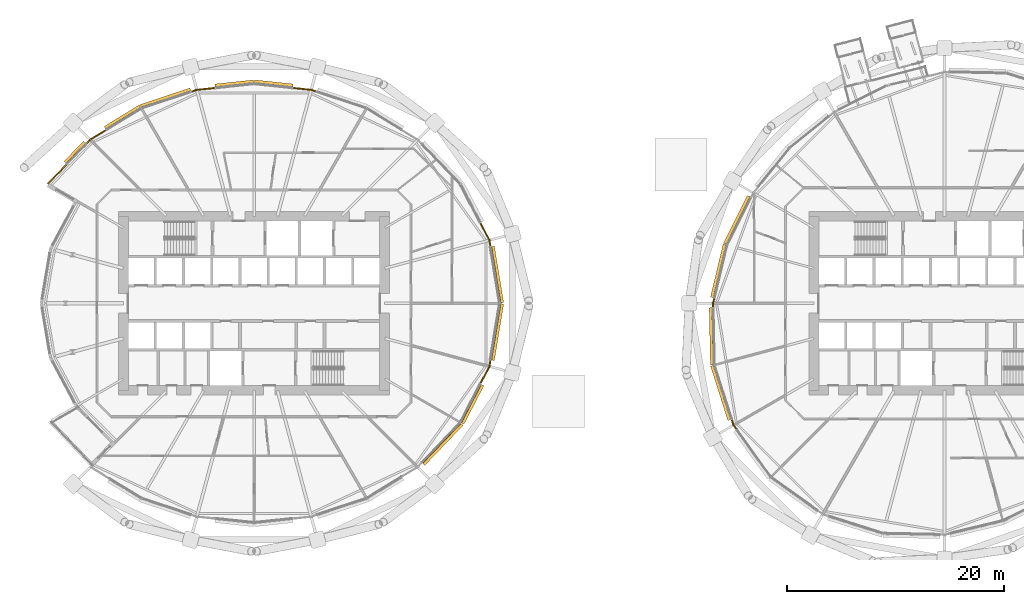
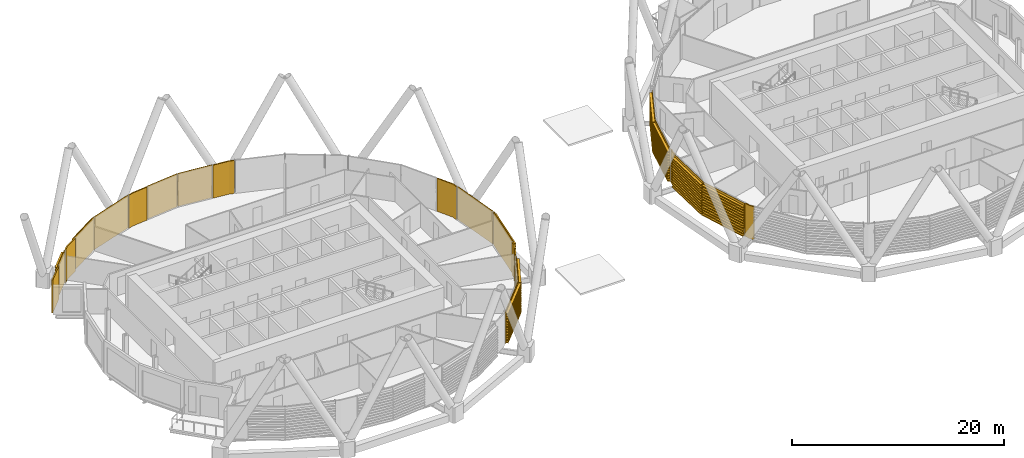
# One storey, part 31 of 34: 21 coverings.
"""IFC4 building model written with IfcOpenShell, lengths in metres."""

from ifc_helpers import new_model, si_unit, direction, frame, origin, place, context, subcontext, project, spatial, polyline, outline, extrude, material, layer, layer_set, material_profile, profile_set, type_object, element, save


model = new_model("IFC4")

# Units and contexts
model_context = context("Model", 3, precision=1e-05, world=origin(), true_north=direction((0.0, 1.0)))
body_context = subcontext(model_context, "Body", "Model", "MODEL_VIEW")
ifc_project = project(units=[si_unit("LENGTHUNIT", "METRE"), si_unit("AREAUNIT", "SQUARE_METRE"), si_unit("VOLUMEUNIT", "CUBIC_METRE"), si_unit("PLANEANGLEUNIT", "RADIAN"), si_unit("MASSUNIT", "GRAM", prefix="KILO")], contexts=[model_context])

# Site, building, storey
site_placement = place(None, origin())
site = spatial("IfcSite", under=ifc_project, at=site_placement, CompositionType="ELEMENT")
building_placement = place(site_placement, origin())
building = spatial("IfcBuilding", under=site, at=building_placement, Name="Rimbun Link Towers", CompositionType="ELEMENT")
storey_placement = place(building_placement, frame((0.0, 0.0, 41.39990234375)))
storey = spatial("IfcBuildingStorey", under=building, at=storey_placement, Name="L09", CompositionType="ELEMENT", Elevation=41.39990234375)

# Coverings
ifc_material_1 = material(Name="Terracotta", Category="masonry")
ifc_layer = layer(ifc_material_1, 0.1201171875)
ifc_layer_set = layer_set([ifc_layer], Name="LINK PIER terracotta cladding 120")
covering_type_1 = type_object("IfcCoveringType", Name="LINK PIER terracotta cladding 120", PredefinedType="CLADDING", material=ifc_layer_set)
covering_1_placement = place(storey_placement, origin())
element("IfcCovering", 1, at=covering_1_placement, inside=storey, type_object=covering_type_1, Name="LINK PIER cladding", PredefinedType="CLADDING", context=body_context, shape_type="SweptSolid", body=[
    extrude(outline(polyline([(-10.972900390625, 7.357177734375), (-10.159423828125, 5.78515625), (-10.06689453125, 5.22265625), (-9.948486328125, 5.2421875), (-10.044189453125, 5.823486328125), (-10.866455078125, 7.412353515625), (-10.972900390625, 7.357177734375)])), origin(), (0.0, 0.0, 1.0), 3.800048828125),
])
covering_2_placement = place(storey_placement, origin())
element("IfcCovering", 2, at=covering_2_placement, inside=storey, type_object=covering_type_1, Name="LINK PIER cladding", PredefinedType="CLADDING", context=body_context, shape_type="SweptSolid", body=[
    extrude(outline(polyline([(-28.166015625, 19.7490234375), (-26.505126953125, 19.57421875), (-26.011474609375, 19.41064453125), (-25.9736328125, 19.524658203125), (-26.479736328125, 19.692138671875), (-28.1533203125, 19.868408203125), (-28.166015625, 19.7490234375)])), origin(), (0.0, 0.0, 1.0), 3.800048828125),
])
covering_3_placement = place(storey_placement, origin())
element("IfcCovering", 3, at=covering_3_placement, inside=storey, type_object=covering_type_1, Name="LINK PIER cladding", PredefinedType="CLADDING", context=body_context, shape_type="SweptSolid", body=[
    extrude(outline(polyline([(-37.488525390625, 19.41064453125), (-36.994873046875, 19.57421875), (-35.333984375, 19.7490234375), (-35.3466796875, 19.868408203125), (-37.020263671875, 19.692138671875), (-37.5263671875, 19.524658203125), (-37.488525390625, 19.41064453125)])), origin(), (0.0, 0.0, 1.0), 3.800048828125),
])
covering_4_placement = place(storey_placement, origin())
element("IfcCovering", 4, at=covering_4_placement, inside=storey, type_object=covering_type_1, Name="LINK PIER cladding", PredefinedType="CLADDING", context=body_context, shape_type="SweptSolid", body=[
    extrude(outline(polyline([(-50.658447265625, 10.950439453125), (-48.93505859375, 12.747802734375), (-49.021728515625, 12.830810546875), (-50.744873046875, 11.033447265625), (-50.658447265625, 10.950439453125)])), origin(), (0.0, 0.0, 1.0), 3.800048828125),
])
covering_5_placement = place(storey_placement, origin())
element("IfcCovering", 5, at=covering_5_placement, inside=storey, type_object=covering_type_1, Name="LINK PIER cladding", PredefinedType="CLADDING", context=body_context, shape_type="SweptSolid", body=[
    extrude(outline(polyline([(-47.123046875, 14.637939453125), (-46.76318359375, 15.01318359375), (-45.340087890625, 15.886962890625), (-45.40283203125, 15.9892578125), (-46.839111328125, 15.107421875), (-47.209716796875, 14.720947265625), (-47.123046875, 14.637939453125)])), origin(), (0.0, 0.0, 1.0), 3.800048828125),
])
covering_6_placement = place(storey_placement, origin())
element("IfcCovering", 6, at=covering_6_placement, inside=storey, type_object=covering_type_1, Name="LINK PIER cladding", PredefinedType="CLADDING", context=body_context, shape_type="SweptSolid", body=[
    extrude(outline(polyline([(-10.06689453125, -5.22265625), (-10.159423828125, -5.78515625), (-10.972900390625, -7.357177734375), (-10.866455078125, -7.412353515625), (-10.044189453125, -5.823486328125), (-9.948486328125, -5.2421875), (-10.06689453125, -5.22265625)])), origin(), (0.0, 0.0, 1.0), 3.800048828125),
])
covering_7_placement = place(storey_placement, origin())
element("IfcCovering", 7, at=covering_7_placement, inside=storey, type_object=covering_type_1, Name="LINK PIER cladding", PredefinedType="CLADDING", context=body_context, shape_type="SweptSolid", body=[
    extrude(outline(polyline([(10.52587890625, -0.369873046875), (10.51806640625, 0.0), (10.62744140625, 0.45703125), (10.5107421875, 0.485107421875), (10.397705078125, 0.012939453125), (10.406005859375, -0.37255859375), (10.52587890625, -0.369873046875)])), origin(), (0.0, 0.0, 1.0), 3.800048828125),
])
covering_8_placement = place(storey_placement, origin())
element("IfcCovering", 8, at=covering_8_placement, inside=storey, type_object=covering_type_1, Name="LINK PIER cladding", PredefinedType="CLADDING", context=body_context, shape_type="SweptSolid", body=[
    extrude(outline(polyline([(12.66650390625, -11.557861328125), (12.392578125, -11.176025390625), (12.23486328125, -10.6806640625), (12.12060546875, -10.717041015625), (12.283935546875, -11.230712890625), (12.569091796875, -11.6279296875), (12.66650390625, -11.557861328125)])), origin(), (0.0, 0.0, 1.0), 3.800048828125),
])
ifc_material_2 = material(Name="Terracotta", Category="masonry")
ifc_material_profile = material_profile(ifc_material_2, outline(polyline([(0.123046875, 0.0), (0.1630859375, 0.0), (0.1630859375, 0.10009765625), (0.423095703125, 0.10009765625), (0.423095703125, 0.219970703125), (0.1630859375, 0.219970703125), (0.1630859375, 0.39990234375), (0.423095703125, 0.39990234375), (0.423095703125, 0.52001953125), (0.1630859375, 0.52001953125), (0.1630859375, 0.699951171875), (0.423095703125, 0.699951171875), (0.423095703125, 0.820068359375), (0.1630859375, 0.820068359375), (0.1630859375, 1.0), (0.423095703125, 1.0), (0.423095703125, 1.1201171875), (0.1630859375, 1.1201171875), (0.1630859375, 1.300048828125), (0.423095703125, 1.300048828125), (0.423095703125, 1.419921875), (0.1630859375, 1.419921875), (0.1630859375, 1.60009765625), (0.423095703125, 1.60009765625), (0.423095703125, 1.719970703125), (0.1630859375, 1.719970703125), (0.1630859375, 1.89990234375), (0.423095703125, 1.89990234375), (0.423095703125, 2.02001953125), (0.1630859375, 2.02001953125), (0.1630859375, 2.199951171875), (0.423095703125, 2.199951171875), (0.423095703125, 2.320068359375), (0.1630859375, 2.320068359375), (0.1630859375, 2.5), (0.423095703125, 2.5), (0.423095703125, 2.6201171875), (0.1630859375, 2.6201171875), (0.1630859375, 2.800048828125), (0.423095703125, 2.800048828125), (0.423095703125, 2.919921875), (0.1630859375, 2.919921875), (0.1630859375, 3.10009765625), (0.423095703125, 3.10009765625), (0.423095703125, 3.219970703125), (0.1630859375, 3.219970703125), (0.1630859375, 3.39990234375), (0.423095703125, 3.39990234375), (0.423095703125, 3.52001953125), (0.1630859375, 3.52001953125), (0.1630859375, 3.800048828125), (0.123046875, 3.800048828125), (0.123046875, 0.0)])), Name="BAGUETTE 120X300")
ifc_profile_set = profile_set([ifc_material_profile], Name="Terracotta")
covering_type_2 = type_object("IfcCoveringType", Name="TERRACOTTA BAGUETTE 120X300 H3800", PredefinedType="CLADDING", material=ifc_profile_set)
covering_9_placement = place(storey_placement, frame((-10.062255859375, 5.193115234375, 0.0), z_axis=(0.162269712446, -0.986746441809, 0.0), x_axis=(0.986746441809, 0.162269712446, 0.0)))
element("IfcCovering", 9, at=covering_9_placement, inside=storey, type_object=covering_type_2, Name="TERRACOTTA BAGUETTE", PredefinedType="CLADDING", context=body_context, shape_type="SweptSolid", body=[
    extrude(outline(polyline([(0.123046875, 0.0), (0.1630859375, 0.0), (0.1630859375, 0.10009765625), (0.423095703125, 0.10009765625), (0.423095703125, 0.219970703125), (0.1630859375, 0.219970703125), (0.1630859375, 0.39990234375), (0.423095703125, 0.39990234375), (0.423095703125, 0.52001953125), (0.1630859375, 0.52001953125), (0.1630859375, 0.699951171875), (0.423095703125, 0.699951171875), (0.423095703125, 0.820068359375), (0.1630859375, 0.820068359375), (0.1630859375, 1.0), (0.423095703125, 1.0), (0.423095703125, 1.1201171875), (0.1630859375, 1.1201171875), (0.1630859375, 1.300048828125), (0.423095703125, 1.300048828125), (0.423095703125, 1.419921875), (0.1630859375, 1.419921875), (0.1630859375, 1.60009765625), (0.423095703125, 1.60009765625), (0.423095703125, 1.719970703125), (0.1630859375, 1.719970703125), (0.1630859375, 1.89990234375), (0.423095703125, 1.89990234375), (0.423095703125, 2.02001953125), (0.1630859375, 2.02001953125), (0.1630859375, 2.199951171875), (0.423095703125, 2.199951171875), (0.423095703125, 2.320068359375), (0.1630859375, 2.320068359375), (0.1630859375, 2.5), (0.423095703125, 2.5), (0.423095703125, 2.6201171875), (0.1630859375, 2.6201171875), (0.1630859375, 2.800048828125), (0.423095703125, 2.800048828125), (0.423095703125, 2.919921875), (0.1630859375, 2.919921875), (0.1630859375, 3.10009765625), (0.423095703125, 3.10009765625), (0.423095703125, 3.219970703125), (0.1630859375, 3.219970703125), (0.1630859375, 3.39990234375), (0.423095703125, 3.39990234375), (0.423095703125, 3.52001953125), (0.1630859375, 3.52001953125), (0.1630859375, 3.800048828125), (0.123046875, 3.800048828125), (0.123046875, 0.0)])), origin(), (0.0, 0.0, 1.0), 5.262939453125),
])
for number, where, z_axis, x_axis, name in (
    (10, (-31.75, 20.126708984375, 0.0), (0.994494217738, -0.104791463801, 0.0), (0.104791463801, 0.994494217738, 0.0), "TERRACOTTA BAGUETTE"),
    (11, (-35.30419921875, 19.752197265625, 0.0), (0.994494217738, 0.104791463801, 0.0), (-0.104791463801, 0.994494217738, 0.0), "TERRACOTTA BAGUETTE"),
):
    element("IfcCovering", number, at=place(storey_placement, frame(where, z_axis=z_axis, x_axis=x_axis)), inside=storey, type_object=covering_type_2, Name=name, PredefinedType="CLADDING", context=body_context, shape_type="SweptSolid", body=[
        extrude(outline(polyline([(0.123046875, 0.0), (0.1630859375, 0.0), (0.1630859375, 0.10009765625), (0.423095703125, 0.10009765625), (0.423095703125, 0.219970703125), (0.1630859375, 0.219970703125), (0.1630859375, 0.39990234375), (0.423095703125, 0.39990234375), (0.423095703125, 0.52001953125), (0.1630859375, 0.52001953125), (0.1630859375, 0.699951171875), (0.423095703125, 0.699951171875), (0.423095703125, 0.820068359375), (0.1630859375, 0.820068359375), (0.1630859375, 1.0), (0.423095703125, 1.0), (0.423095703125, 1.1201171875), (0.1630859375, 1.1201171875), (0.1630859375, 1.300048828125), (0.423095703125, 1.300048828125), (0.423095703125, 1.419921875), (0.1630859375, 1.419921875), (0.1630859375, 1.60009765625), (0.423095703125, 1.60009765625), (0.423095703125, 1.719970703125), (0.1630859375, 1.719970703125), (0.1630859375, 1.89990234375), (0.423095703125, 1.89990234375), (0.423095703125, 2.02001953125), (0.1630859375, 2.02001953125), (0.1630859375, 2.199951171875), (0.423095703125, 2.199951171875), (0.423095703125, 2.320068359375), (0.1630859375, 2.320068359375), (0.1630859375, 2.5), (0.423095703125, 2.5), (0.423095703125, 2.6201171875), (0.1630859375, 2.6201171875), (0.1630859375, 2.800048828125), (0.423095703125, 2.800048828125), (0.423095703125, 2.919921875), (0.1630859375, 2.919921875), (0.1630859375, 3.10009765625), (0.423095703125, 3.10009765625), (0.423095703125, 3.219970703125), (0.1630859375, 3.219970703125), (0.1630859375, 3.39990234375), (0.423095703125, 3.39990234375), (0.423095703125, 3.52001953125), (0.1630859375, 3.52001953125), (0.1630859375, 3.800048828125), (0.123046875, 3.800048828125), (0.123046875, 0.0)])), origin(), (0.0, 0.0, 1.0), 3.573974609375),
    ])
covering_10_placement = place(storey_placement, frame((-42.07861328125, 17.8896484375, 0.0), z_axis=(0.949245728051, 0.314535447568, 0.0), x_axis=(-0.314535447568, 0.949245728051, 0.0)))
element("IfcCovering", 12, at=covering_10_placement, inside=storey, type_object=covering_type_2, Name="TERRACOTTA BAGUETTE", PredefinedType="CLADDING", context=body_context, shape_type="SweptSolid", body=[
    extrude(outline(polyline([(0.123046875, 0.0), (0.1630859375, 0.0), (0.1630859375, 0.10009765625), (0.423095703125, 0.10009765625), (0.423095703125, 0.219970703125), (0.1630859375, 0.219970703125), (0.1630859375, 0.39990234375), (0.423095703125, 0.39990234375), (0.423095703125, 0.52001953125), (0.1630859375, 0.52001953125), (0.1630859375, 0.699951171875), (0.423095703125, 0.699951171875), (0.423095703125, 0.820068359375), (0.1630859375, 0.820068359375), (0.1630859375, 1.0), (0.423095703125, 1.0), (0.423095703125, 1.1201171875), (0.1630859375, 1.1201171875), (0.1630859375, 1.300048828125), (0.423095703125, 1.300048828125), (0.423095703125, 1.419921875), (0.1630859375, 1.419921875), (0.1630859375, 1.60009765625), (0.423095703125, 1.60009765625), (0.423095703125, 1.719970703125), (0.1630859375, 1.719970703125), (0.1630859375, 1.89990234375), (0.423095703125, 1.89990234375), (0.423095703125, 2.02001953125), (0.1630859375, 2.02001953125), (0.1630859375, 2.199951171875), (0.423095703125, 2.199951171875), (0.423095703125, 2.320068359375), (0.1630859375, 2.320068359375), (0.1630859375, 2.5), (0.423095703125, 2.5), (0.423095703125, 2.6201171875), (0.1630859375, 2.6201171875), (0.1630859375, 2.800048828125), (0.423095703125, 2.800048828125), (0.423095703125, 2.919921875), (0.1630859375, 2.919921875), (0.1630859375, 3.10009765625), (0.423095703125, 3.10009765625), (0.423095703125, 3.219970703125), (0.1630859375, 3.219970703125), (0.1630859375, 3.39990234375), (0.423095703125, 3.39990234375), (0.423095703125, 3.52001953125), (0.1630859375, 3.52001953125), (0.1630859375, 3.800048828125), (0.123046875, 3.800048828125), (0.123046875, 0.0)])), origin(), (0.0, 0.0, 1.0), 4.805419921875),
])
covering_11_placement = place(storey_placement, frame((-45.314453125, 15.902587890625, 0.0), z_axis=(0.852154627226, 0.523290064206, 0.0), x_axis=(-0.523290064206, 0.852154627226, 0.0)))
element("IfcCovering", 13, at=covering_11_placement, inside=storey, type_object=covering_type_2, Name="TERRACOTTA BAGUETTE", PredefinedType="CLADDING", context=body_context, shape_type="SweptSolid", body=[
    extrude(outline(polyline([(0.123046875, 0.0), (0.1630859375, 0.0), (0.1630859375, 0.10009765625), (0.423095703125, 0.10009765625), (0.423095703125, 0.219970703125), (0.1630859375, 0.219970703125), (0.1630859375, 0.39990234375), (0.423095703125, 0.39990234375), (0.423095703125, 0.52001953125), (0.1630859375, 0.52001953125), (0.1630859375, 0.699951171875), (0.423095703125, 0.699951171875), (0.423095703125, 0.820068359375), (0.1630859375, 0.820068359375), (0.1630859375, 1.0), (0.423095703125, 1.0), (0.423095703125, 1.1201171875), (0.1630859375, 1.1201171875), (0.1630859375, 1.300048828125), (0.423095703125, 1.300048828125), (0.423095703125, 1.419921875), (0.1630859375, 1.419921875), (0.1630859375, 1.60009765625), (0.423095703125, 1.60009765625), (0.423095703125, 1.719970703125), (0.1630859375, 1.719970703125), (0.1630859375, 1.89990234375), (0.423095703125, 1.89990234375), (0.423095703125, 2.02001953125), (0.1630859375, 2.02001953125), (0.1630859375, 2.199951171875), (0.423095703125, 2.199951171875), (0.423095703125, 2.320068359375), (0.1630859375, 2.320068359375), (0.1630859375, 2.5), (0.423095703125, 2.5), (0.423095703125, 2.6201171875), (0.1630859375, 2.6201171875), (0.1630859375, 2.800048828125), (0.423095703125, 2.800048828125), (0.423095703125, 2.919921875), (0.1630859375, 2.919921875), (0.1630859375, 3.10009765625), (0.423095703125, 3.10009765625), (0.423095703125, 3.219970703125), (0.1630859375, 3.219970703125), (0.1630859375, 3.39990234375), (0.423095703125, 3.39990234375), (0.423095703125, 3.52001953125), (0.1630859375, 3.52001953125), (0.1630859375, 3.800048828125), (0.123046875, 3.800048828125), (0.123046875, 0.0)])), origin(), (0.0, 0.0, 1.0), 3.79736328125),
])
covering_12_placement = place(storey_placement, frame((-48.914306640625, 12.76953125, 0.0), z_axis=(0.692062872066, 0.721837226186, 0.0), x_axis=(-0.721837226186, 0.692062872066, 0.0)))
element("IfcCovering", 14, at=covering_12_placement, inside=storey, type_object=covering_type_2, Name="TERRACOTTA BAGUETTE", PredefinedType="CLADDING", context=body_context, shape_type="SweptSolid", body=[
    extrude(outline(polyline([(0.123046875, 0.0), (0.1630859375, 0.0), (0.1630859375, 0.10009765625), (0.423095703125, 0.10009765625), (0.423095703125, 0.219970703125), (0.1630859375, 0.219970703125), (0.1630859375, 0.39990234375), (0.423095703125, 0.39990234375), (0.423095703125, 0.52001953125), (0.1630859375, 0.52001953125), (0.1630859375, 0.699951171875), (0.423095703125, 0.699951171875), (0.423095703125, 0.820068359375), (0.1630859375, 0.820068359375), (0.1630859375, 1.0), (0.423095703125, 1.0), (0.423095703125, 1.1201171875), (0.1630859375, 1.1201171875), (0.1630859375, 1.300048828125), (0.423095703125, 1.300048828125), (0.423095703125, 1.419921875), (0.1630859375, 1.419921875), (0.1630859375, 1.60009765625), (0.423095703125, 1.60009765625), (0.423095703125, 1.719970703125), (0.1630859375, 1.719970703125), (0.1630859375, 1.89990234375), (0.423095703125, 1.89990234375), (0.423095703125, 2.02001953125), (0.1630859375, 2.02001953125), (0.1630859375, 2.199951171875), (0.423095703125, 2.199951171875), (0.423095703125, 2.320068359375), (0.1630859375, 2.320068359375), (0.1630859375, 2.5), (0.423095703125, 2.5), (0.423095703125, 2.6201171875), (0.1630859375, 2.6201171875), (0.1630859375, 2.800048828125), (0.423095703125, 2.800048828125), (0.423095703125, 2.919921875), (0.1630859375, 2.919921875), (0.1630859375, 3.10009765625), (0.423095703125, 3.10009765625), (0.423095703125, 3.219970703125), (0.1630859375, 3.219970703125), (0.1630859375, 3.39990234375), (0.423095703125, 3.39990234375), (0.423095703125, 3.52001953125), (0.1630859375, 3.52001953125), (0.1630859375, 3.800048828125), (0.123046875, 3.800048828125), (0.123046875, 0.0)])), origin(), (0.0, 0.0, 1.0), 2.558349609375),
])
covering_13_placement = place(storey_placement, frame((-12.82080078125, -10.9287109375, 0.0), z_axis=(-0.692063122266, -0.721836986306, 0.0), x_axis=(0.721836986306, -0.692063122266, 0.0)))
element("IfcCovering", 15, at=covering_13_placement, inside=storey, type_object=covering_type_2, Name="TERRACOTTA BAGUETTE", PredefinedType="CLADDING", context=body_context, shape_type="SweptSolid", body=[
    extrude(outline(polyline([(0.123046875, 0.0), (0.1630859375, 0.0), (0.1630859375, 0.10009765625), (0.423095703125, 0.10009765625), (0.423095703125, 0.219970703125), (0.1630859375, 0.219970703125), (0.1630859375, 0.39990234375), (0.423095703125, 0.39990234375), (0.423095703125, 0.52001953125), (0.1630859375, 0.52001953125), (0.1630859375, 0.699951171875), (0.423095703125, 0.699951171875), (0.423095703125, 0.820068359375), (0.1630859375, 0.820068359375), (0.1630859375, 1.0), (0.423095703125, 1.0), (0.423095703125, 1.1201171875), (0.1630859375, 1.1201171875), (0.1630859375, 1.300048828125), (0.423095703125, 1.300048828125), (0.423095703125, 1.419921875), (0.1630859375, 1.419921875), (0.1630859375, 1.60009765625), (0.423095703125, 1.60009765625), (0.423095703125, 1.719970703125), (0.1630859375, 1.719970703125), (0.1630859375, 1.89990234375), (0.423095703125, 1.89990234375), (0.423095703125, 2.02001953125), (0.1630859375, 2.02001953125), (0.1630859375, 2.199951171875), (0.423095703125, 2.199951171875), (0.423095703125, 2.320068359375), (0.1630859375, 2.320068359375), (0.1630859375, 2.5), (0.423095703125, 2.5), (0.423095703125, 2.6201171875), (0.1630859375, 2.6201171875), (0.1630859375, 2.800048828125), (0.423095703125, 2.800048828125), (0.423095703125, 2.919921875), (0.1630859375, 2.919921875), (0.1630859375, 3.10009765625), (0.423095703125, 3.10009765625), (0.423095703125, 3.219970703125), (0.1630859375, 3.219970703125), (0.1630859375, 3.39990234375), (0.423095703125, 3.39990234375), (0.423095703125, 3.52001953125), (0.1630859375, 3.52001953125), (0.1630859375, 3.800048828125), (0.123046875, 3.800048828125), (0.123046875, 0.0)])), origin(), (0.0, 0.0, 1.0), 5.1083984375),
])
covering_14_placement = place(storey_placement, frame((-10.98681640625, -7.3837890625, 0.0), z_axis=(-0.459502792703, -0.888176324554, 0.0), x_axis=(0.888176324554, -0.459502792703, 0.0)))
element("IfcCovering", 16, at=covering_14_placement, inside=storey, type_object=covering_type_2, Name="TERRACOTTA BAGUETTE", PredefinedType="CLADDING", context=body_context, shape_type="SweptSolid", body=[
    extrude(outline(polyline([(0.123046875, 0.0), (0.1630859375, 0.0), (0.1630859375, 0.10009765625), (0.423095703125, 0.10009765625), (0.423095703125, 0.219970703125), (0.1630859375, 0.219970703125), (0.1630859375, 0.39990234375), (0.423095703125, 0.39990234375), (0.423095703125, 0.52001953125), (0.1630859375, 0.52001953125), (0.1630859375, 0.699951171875), (0.423095703125, 0.699951171875), (0.423095703125, 0.820068359375), (0.1630859375, 0.820068359375), (0.1630859375, 1.0), (0.423095703125, 1.0), (0.423095703125, 1.1201171875), (0.1630859375, 1.1201171875), (0.1630859375, 1.300048828125), (0.423095703125, 1.300048828125), (0.423095703125, 1.419921875), (0.1630859375, 1.419921875), (0.1630859375, 1.60009765625), (0.423095703125, 1.60009765625), (0.423095703125, 1.719970703125), (0.1630859375, 1.719970703125), (0.1630859375, 1.89990234375), (0.423095703125, 1.89990234375), (0.423095703125, 2.02001953125), (0.1630859375, 2.02001953125), (0.1630859375, 2.199951171875), (0.423095703125, 2.199951171875), (0.423095703125, 2.320068359375), (0.1630859375, 2.320068359375), (0.1630859375, 2.5), (0.423095703125, 2.5), (0.423095703125, 2.6201171875), (0.1630859375, 2.6201171875), (0.1630859375, 2.800048828125), (0.423095703125, 2.800048828125), (0.423095703125, 2.919921875), (0.1630859375, 2.919921875), (0.1630859375, 3.10009765625), (0.423095703125, 3.10009765625), (0.423095703125, 3.219970703125), (0.1630859375, 3.219970703125), (0.1630859375, 3.39990234375), (0.423095703125, 3.39990234375), (0.423095703125, 3.52001953125), (0.1630859375, 3.52001953125), (0.1630859375, 3.800048828125), (0.123046875, 3.800048828125), (0.123046875, 0.0)])), origin(), (0.0, 0.0, 1.0), 3.9912109375),
])
covering_15_placement = place(storey_placement, frame((-9.208251953125, 0.0, 0.0), z_axis=(-0.162269712446, -0.986746441809, 0.0), x_axis=(0.986746441809, -0.162269712446, 0.0)))
element("IfcCovering", 17, at=covering_15_placement, inside=storey, type_object=covering_type_2, Name="TERRACOTTA BAGUETTE", PredefinedType="CLADDING", context=body_context, shape_type="SweptSolid", body=[
    extrude(outline(polyline([(0.123046875, 0.0), (0.1630859375, 0.0), (0.1630859375, 0.10009765625), (0.423095703125, 0.10009765625), (0.423095703125, 0.219970703125), (0.1630859375, 0.219970703125), (0.1630859375, 0.39990234375), (0.423095703125, 0.39990234375), (0.423095703125, 0.52001953125), (0.1630859375, 0.52001953125), (0.1630859375, 0.699951171875), (0.423095703125, 0.699951171875), (0.423095703125, 0.820068359375), (0.1630859375, 0.820068359375), (0.1630859375, 1.0), (0.423095703125, 1.0), (0.423095703125, 1.1201171875), (0.1630859375, 1.1201171875), (0.1630859375, 1.300048828125), (0.423095703125, 1.300048828125), (0.423095703125, 1.419921875), (0.1630859375, 1.419921875), (0.1630859375, 1.60009765625), (0.423095703125, 1.60009765625), (0.423095703125, 1.719970703125), (0.1630859375, 1.719970703125), (0.1630859375, 1.89990234375), (0.423095703125, 1.89990234375), (0.423095703125, 2.02001953125), (0.1630859375, 2.02001953125), (0.1630859375, 2.199951171875), (0.423095703125, 2.199951171875), (0.423095703125, 2.320068359375), (0.1630859375, 2.320068359375), (0.1630859375, 2.5), (0.423095703125, 2.5), (0.423095703125, 2.6201171875), (0.1630859375, 2.6201171875), (0.1630859375, 2.800048828125), (0.423095703125, 2.800048828125), (0.423095703125, 2.919921875), (0.1630859375, 2.919921875), (0.1630859375, 3.10009765625), (0.423095703125, 3.10009765625), (0.423095703125, 3.219970703125), (0.1630859375, 3.219970703125), (0.1630859375, 3.39990234375), (0.423095703125, 3.39990234375), (0.423095703125, 3.52001953125), (0.1630859375, 3.52001953125), (0.1630859375, 3.800048828125), (0.123046875, 3.800048828125), (0.123046875, 0.0)])), origin(), (0.0, 0.0, 1.0), 5.262939453125),
])
covering_16_placement = place(storey_placement, frame((11.796875, 5.346435546875, 0.0), z_axis=(0.448765709645, 0.893649449083, 0.0), x_axis=(-0.893649449083, 0.448765709645, 0.0)))
element("IfcCovering", 18, at=covering_16_placement, inside=storey, type_object=covering_type_2, Name="TERRACOTTA BAGUETTE", PredefinedType="CLADDING", context=body_context, shape_type="SweptSolid", body=[
    extrude(outline(polyline([(0.123046875, 0.0), (0.1630859375, 0.0), (0.1630859375, 0.10009765625), (0.423095703125, 0.10009765625), (0.423095703125, 0.219970703125), (0.1630859375, 0.219970703125), (0.1630859375, 0.39990234375), (0.423095703125, 0.39990234375), (0.423095703125, 0.52001953125), (0.1630859375, 0.52001953125), (0.1630859375, 0.699951171875), (0.423095703125, 0.699951171875), (0.423095703125, 0.820068359375), (0.1630859375, 0.820068359375), (0.1630859375, 1.0), (0.423095703125, 1.0), (0.423095703125, 1.1201171875), (0.1630859375, 1.1201171875), (0.1630859375, 1.300048828125), (0.423095703125, 1.300048828125), (0.423095703125, 1.419921875), (0.1630859375, 1.419921875), (0.1630859375, 1.60009765625), (0.423095703125, 1.60009765625), (0.423095703125, 1.719970703125), (0.1630859375, 1.719970703125), (0.1630859375, 1.89990234375), (0.423095703125, 1.89990234375), (0.423095703125, 2.02001953125), (0.1630859375, 2.02001953125), (0.1630859375, 2.199951171875), (0.423095703125, 2.199951171875), (0.423095703125, 2.320068359375), (0.1630859375, 2.320068359375), (0.1630859375, 2.5), (0.423095703125, 2.5), (0.423095703125, 2.6201171875), (0.1630859375, 2.6201171875), (0.1630859375, 2.800048828125), (0.423095703125, 2.800048828125), (0.423095703125, 2.919921875), (0.1630859375, 2.919921875), (0.1630859375, 3.10009765625), (0.423095703125, 3.10009765625), (0.423095703125, 3.219970703125), (0.1630859375, 3.219970703125), (0.1630859375, 3.39990234375), (0.423095703125, 3.39990234375), (0.423095703125, 3.52001953125), (0.1630859375, 3.52001953125), (0.1630859375, 3.800048828125), (0.123046875, 3.800048828125), (0.123046875, 0.0)])), origin(), (0.0, 0.0, 1.0), 4.905517578125),
])
covering_17_placement = place(storey_placement, frame((10.634521484375, 0.486328125, 0.0), z_axis=(0.232602347496, 0.972571924301, 0.0), x_axis=(-0.972571924301, 0.232602347496, 0.0)))
element("IfcCovering", 19, at=covering_17_placement, inside=storey, type_object=covering_type_2, Name="TERRACOTTA BAGUETTE", PredefinedType="CLADDING", context=body_context, shape_type="SweptSolid", body=[
    extrude(outline(polyline([(0.123046875, 0.0), (0.1630859375, 0.0), (0.1630859375, 0.10009765625), (0.423095703125, 0.10009765625), (0.423095703125, 0.219970703125), (0.1630859375, 0.219970703125), (0.1630859375, 0.39990234375), (0.423095703125, 0.39990234375), (0.423095703125, 0.52001953125), (0.1630859375, 0.52001953125), (0.1630859375, 0.699951171875), (0.423095703125, 0.699951171875), (0.423095703125, 0.820068359375), (0.1630859375, 0.820068359375), (0.1630859375, 1.0), (0.423095703125, 1.0), (0.423095703125, 1.1201171875), (0.1630859375, 1.1201171875), (0.1630859375, 1.300048828125), (0.423095703125, 1.300048828125), (0.423095703125, 1.419921875), (0.1630859375, 1.419921875), (0.1630859375, 1.60009765625), (0.423095703125, 1.60009765625), (0.423095703125, 1.719970703125), (0.1630859375, 1.719970703125), (0.1630859375, 1.89990234375), (0.423095703125, 1.89990234375), (0.423095703125, 2.02001953125), (0.1630859375, 2.02001953125), (0.1630859375, 2.199951171875), (0.423095703125, 2.199951171875), (0.423095703125, 2.320068359375), (0.1630859375, 2.320068359375), (0.1630859375, 2.5), (0.423095703125, 2.5), (0.423095703125, 2.6201171875), (0.1630859375, 2.6201171875), (0.1630859375, 2.800048828125), (0.423095703125, 2.800048828125), (0.423095703125, 2.919921875), (0.1630859375, 2.919921875), (0.1630859375, 3.10009765625), (0.423095703125, 3.10009765625), (0.423095703125, 3.219970703125), (0.1630859375, 3.219970703125), (0.1630859375, 3.39990234375), (0.423095703125, 3.39990234375), (0.423095703125, 3.52001953125), (0.1630859375, 3.52001953125), (0.1630859375, 3.800048828125), (0.123046875, 3.800048828125), (0.123046875, 0.0)])), origin(), (0.0, 0.0, 1.0), 4.9970703125),
])
covering_18_placement = place(storey_placement, frame((10.63720703125, -5.656982421875, 0.0), z_axis=(-0.021032823569, 0.999778785698, 0.0), x_axis=(-0.999778785698, -0.021032823569, 0.0)))
element("IfcCovering", 20, at=covering_18_placement, inside=storey, type_object=covering_type_2, Name="TERRACOTTA BAGUETTE", PredefinedType="CLADDING", context=body_context, shape_type="SweptSolid", body=[
    extrude(outline(polyline([(0.123046875, 0.0), (0.1630859375, 0.0), (0.1630859375, 0.10009765625), (0.423095703125, 0.10009765625), (0.423095703125, 0.219970703125), (0.1630859375, 0.219970703125), (0.1630859375, 0.39990234375), (0.423095703125, 0.39990234375), (0.423095703125, 0.52001953125), (0.1630859375, 0.52001953125), (0.1630859375, 0.699951171875), (0.423095703125, 0.699951171875), (0.423095703125, 0.820068359375), (0.1630859375, 0.820068359375), (0.1630859375, 1.0), (0.423095703125, 1.0), (0.423095703125, 1.1201171875), (0.1630859375, 1.1201171875), (0.1630859375, 1.300048828125), (0.423095703125, 1.300048828125), (0.423095703125, 1.419921875), (0.1630859375, 1.419921875), (0.1630859375, 1.60009765625), (0.423095703125, 1.60009765625), (0.423095703125, 1.719970703125), (0.1630859375, 1.719970703125), (0.1630859375, 1.89990234375), (0.423095703125, 1.89990234375), (0.423095703125, 2.02001953125), (0.1630859375, 2.02001953125), (0.1630859375, 2.199951171875), (0.423095703125, 2.199951171875), (0.423095703125, 2.320068359375), (0.1630859375, 2.320068359375), (0.1630859375, 2.5), (0.423095703125, 2.5), (0.423095703125, 2.6201171875), (0.1630859375, 2.6201171875), (0.1630859375, 2.800048828125), (0.423095703125, 2.800048828125), (0.423095703125, 2.919921875), (0.1630859375, 2.919921875), (0.1630859375, 3.10009765625), (0.423095703125, 3.10009765625), (0.423095703125, 3.219970703125), (0.1630859375, 3.219970703125), (0.1630859375, 3.39990234375), (0.423095703125, 3.39990234375), (0.423095703125, 3.52001953125), (0.1630859375, 3.52001953125), (0.1630859375, 3.800048828125), (0.123046875, 3.800048828125), (0.123046875, 0.0)])), origin(), (0.0, 0.0, 1.0), 5.25830078125),
])
covering_19_placement = place(storey_placement, frame((12.225830078125, -10.65185546875, 0.0), z_axis=(-0.303090222342, 0.952961865512, 0.0), x_axis=(-0.952961865512, -0.303090222342, 0.0)))
element("IfcCovering", 21, at=covering_19_placement, inside=storey, type_object=covering_type_2, Name="TERRACOTTA BAGUETTE", PredefinedType="CLADDING", context=body_context, shape_type="SweptSolid", body=[
    extrude(outline(polyline([(0.123046875, 0.0), (0.1630859375, 0.0), (0.1630859375, 0.10009765625), (0.423095703125, 0.10009765625), (0.423095703125, 0.219970703125), (0.1630859375, 0.219970703125), (0.1630859375, 0.39990234375), (0.423095703125, 0.39990234375), (0.423095703125, 0.52001953125), (0.1630859375, 0.52001953125), (0.1630859375, 0.699951171875), (0.423095703125, 0.699951171875), (0.423095703125, 0.820068359375), (0.1630859375, 0.820068359375), (0.1630859375, 1.0), (0.423095703125, 1.0), (0.423095703125, 1.1201171875), (0.1630859375, 1.1201171875), (0.1630859375, 1.300048828125), (0.423095703125, 1.300048828125), (0.423095703125, 1.419921875), (0.1630859375, 1.419921875), (0.1630859375, 1.60009765625), (0.423095703125, 1.60009765625), (0.423095703125, 1.719970703125), (0.1630859375, 1.719970703125), (0.1630859375, 1.89990234375), (0.423095703125, 1.89990234375), (0.423095703125, 2.02001953125), (0.1630859375, 2.02001953125), (0.1630859375, 2.199951171875), (0.423095703125, 2.199951171875), (0.423095703125, 2.320068359375), (0.1630859375, 2.320068359375), (0.1630859375, 2.5), (0.423095703125, 2.5), (0.423095703125, 2.6201171875), (0.1630859375, 2.6201171875), (0.1630859375, 2.800048828125), (0.423095703125, 2.800048828125), (0.423095703125, 2.919921875), (0.1630859375, 2.919921875), (0.1630859375, 3.10009765625), (0.423095703125, 3.10009765625), (0.423095703125, 3.219970703125), (0.1630859375, 3.219970703125), (0.1630859375, 3.39990234375), (0.423095703125, 3.39990234375), (0.423095703125, 3.52001953125), (0.1630859375, 3.52001953125), (0.1630859375, 3.800048828125), (0.123046875, 3.800048828125), (0.123046875, 0.0)])), origin(), (0.0, 0.0, 1.0), 5.241455078125),
])

save(model, "model.ifc")
